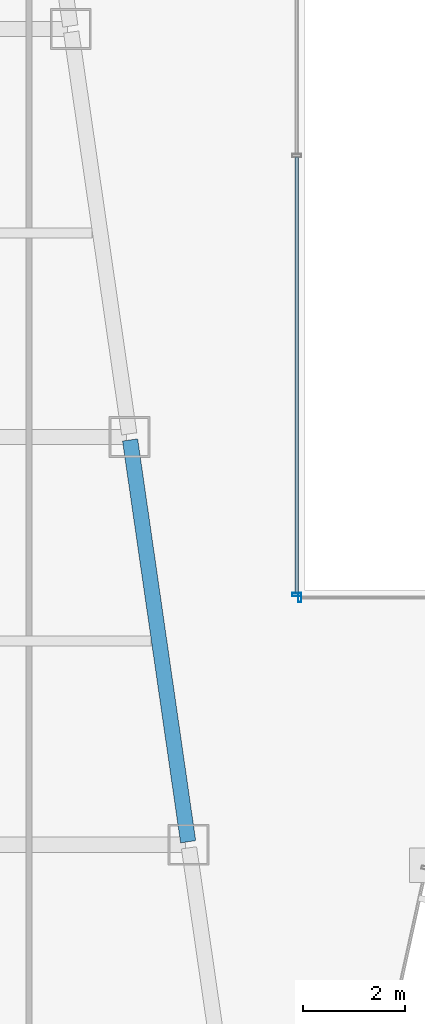
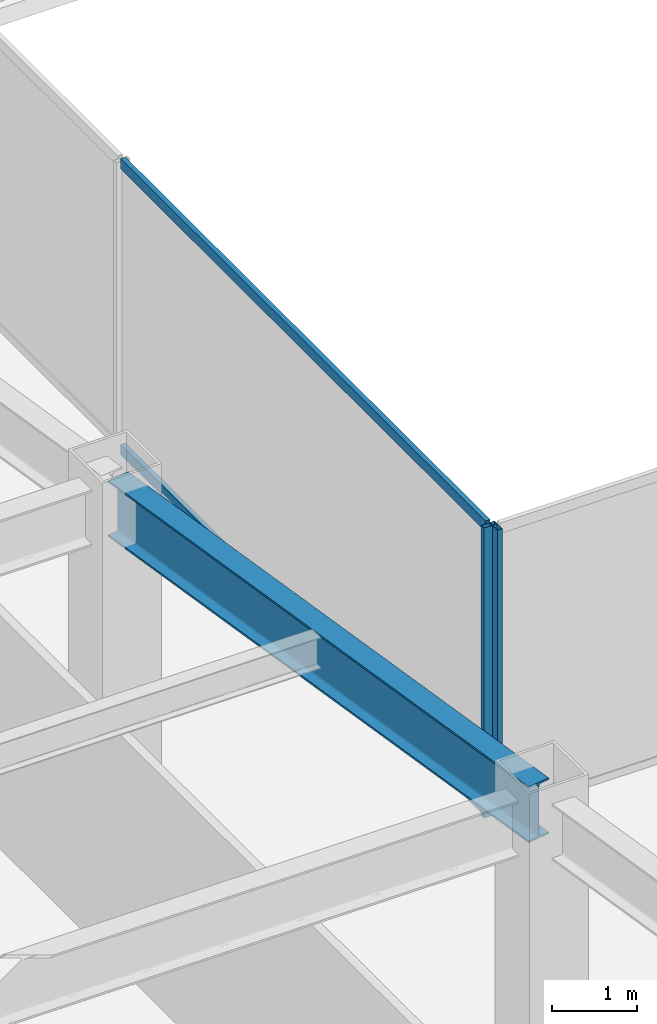
# One storey, part 12 of 47: 4 members, 1 beam, 2 elements without a shape of their own.
"""IFC4 building model written with IfcOpenShell, lengths in metres."""

from ifc_helpers import new_model, si_unit, direction, frame, origin, origin_2d, place, context, subcontext, project, spatial, hollow_rectangle, i_section, extrude, material, material_profile, profile_set, type_object, element, aggregate, save


model = new_model("IFC4")

# Units and contexts
model_context = context("Model", 3, precision=1e-05, world=origin(), true_north=direction((0.0, 1.0)))
body_context = subcontext(model_context, "Body", "Model", "MODEL_VIEW")
ifc_project = project(units=[si_unit("LENGTHUNIT", "METRE"), si_unit("AREAUNIT", "SQUARE_METRE"), si_unit("VOLUMEUNIT", "CUBIC_METRE"), si_unit("PLANEANGLEUNIT", "RADIAN"), si_unit("MASSUNIT", "GRAM", prefix="KILO")], contexts=[model_context])

# Site, building, storey
site_placement = place(None, origin())
site = spatial("IfcSite", under=ifc_project, at=site_placement, CompositionType="ELEMENT")
building_placement = place(site_placement, origin())
building = spatial("IfcBuilding", under=site, at=building_placement, Name="Saevonmaru Cultural Tower", CompositionType="ELEMENT")
storey_placement = place(building_placement, frame((0.0, 0.0, 47.199951171875)))
storey = spatial("IfcBuildingStorey", under=building, at=storey_placement, Name="L09", CompositionType="ELEMENT", Elevation=47.199951171875)

# Beam
ifc_material_1 = material(Name="Steel SM420", Category="steel")
ifc_material_profile_1 = material_profile(ifc_material_1, i_section(OverallWidth=0.300048828125, OverallDepth=0.800048828125, WebThickness=0.013916015625, FlangeThickness=0.02587890625, FilletRadius=0.028076171875, at=origin_2d()), Name="H-800x300x14x26")
ifc_profile_set_1 = profile_set([ifc_material_profile_1], Name="Steel SM420")
beam_type = type_object("IfcBeamType", Name="BM-G-H800", PredefinedType="BEAM", material=ifc_profile_set_1)
beam_placement = place(storey_placement, frame((21.91943359375, 16.059326171875, 3.75), z_axis=(-0.143022161059, 0.989719486241, 0.0), x_axis=(-0.989719486241, -0.143022161059, 0.0)))
element("IfcBeam", 1, at=beam_placement, inside=storey, type_object=beam_type, Name="L09 West Atrium Girder 3", PredefinedType="BEAM", context=body_context, shape_type="SweptSolid", body=[
    extrude(i_section(OverallWidth=0.300048828125, OverallDepth=0.800048828125, WebThickness=0.013916015625, FlangeThickness=0.02587890625, FilletRadius=0.028076171875, at=origin_2d()), origin(), (0.0, 0.0, 1.0), 7.963134765625),
])

# Curtain wall, member
ifc_material_2 = material(Name="Satin Bronze Anodised Aluminium", Category="aluminium")
curtain_wall_type = type_object("IfcCurtainWallType", Name="CW-ATR-GLZ", PredefinedType="NOTDEFINED", material=ifc_material_2)
curtain_wall_1_placement = place(storey_placement, origin())
curtain_wall_1 = element("IfcCurtainWall", 2, at=curtain_wall_1_placement, inside=storey, type_object=curtain_wall_type, Name="L09 Vertical Atrium Glazed Smoke Screen 1", PredefinedType="NOTDEFINED")
ifc_material_profile_2 = material_profile(ifc_material_2, hollow_rectangle(XDim=0.06494140625, YDim=0.179931640625, WallThickness=0.00390625, at=origin_2d()), Name="ALU-MULL-180x65x4")
ifc_profile_set_2 = profile_set([ifc_material_profile_2], Name="Satin Bronze Anodised Aluminium")
member_type_1 = type_object("IfcMemberType", Name="ML-CW-INT-180x65", PredefinedType="MULLION", material=ifc_profile_set_2)
member_1_placement = place(storey_placement, frame((24.110107421875, 20.85009765625, 0.0), z_axis=(0.0, 0.0, 1.0), x_axis=(1.0, 0.0, 0.0)))
member_1 = element("IfcMember", 3, at=member_1_placement, type_object=member_type_1, Name="CW-ATR-L09-1 mullion 1", PredefinedType="MULLION", context=body_context, shape_type="SweptSolid", body=[
    extrude(hollow_rectangle(XDim=0.06494140625, YDim=0.179931640625, WallThickness=0.00390625, at=origin_2d()), origin(), (0.0, 0.0, 1.0), 4.150146484375),
])
aggregate(curtain_wall_1, [member_1])

# Curtain wall, members
curtain_wall_2_placement = place(storey_placement, origin())
curtain_wall_2 = element("IfcCurtainWall", 4, at=curtain_wall_2_placement, inside=storey, type_object=curtain_wall_type, Name="L09 Vertical Atrium Glazed Smoke Screen 4", PredefinedType="NOTDEFINED")
member_2_placement = place(storey_placement, frame((24.050048828125, 20.909912109375, 0.0), z_axis=(0.0, 0.0, 1.0), x_axis=(0.0, -1.0, 0.0)))
member_2 = element("IfcMember", 5, at=member_2_placement, type_object=member_type_1, Name="CW-ATR-L09-4 mullion 3", PredefinedType="MULLION", context=body_context, shape_type="SweptSolid", body=[
    extrude(hollow_rectangle(XDim=0.06494140625, YDim=0.179931640625, WallThickness=0.00390625, at=origin_2d()), origin(), (0.0, 0.0, 1.0), 4.150146484375),
])
ifc_material_profile_3 = material_profile(ifc_material_2, hollow_rectangle(XDim=0.06494140625, YDim=0.14990234375, WallThickness=0.00390625, at=origin_2d()), Name="ALU-TRAN-150x65x4")
ifc_profile_set_3 = profile_set([ifc_material_profile_3], Name="Satin Bronze Anodised Aluminium")
member_type_2 = type_object("IfcMemberType", Name="TR-CW-INT-150x65", PredefinedType="USERDEFINED", material=ifc_profile_set_3)
member_3_placement = place(storey_placement, frame((24.050048828125, 29.487548828125, 0.032470703125), z_axis=(0.0, -1.0, 0.0), x_axis=(1.0, 0.0, 0.0)))
member_3 = element("IfcMember", 6, at=member_3_placement, type_object=member_type_2, Name="CW-ATR-L09-4 transom 2.1", ObjectType="TRANSOM", PredefinedType="USERDEFINED", context=body_context, shape_type="SweptSolid", body=[
    extrude(hollow_rectangle(XDim=0.06494140625, YDim=0.14990234375, WallThickness=0.00390625, at=origin_2d()), origin(), (0.0, 0.0, 1.0), 8.545166015625),
])
member_4_placement = place(storey_placement, frame((24.050048828125, 29.487548828125, 4.117431640625), z_axis=(0.0, -1.0, 0.0), x_axis=(1.0, 0.0, 0.0)))
member_4 = element("IfcMember", 7, at=member_4_placement, type_object=member_type_2, Name="CW-ATR-L09-4 transom 2.2", ObjectType="TRANSOM", PredefinedType="USERDEFINED", context=body_context, shape_type="SweptSolid", body=[
    extrude(hollow_rectangle(XDim=0.06494140625, YDim=0.14990234375, WallThickness=0.00390625, at=origin_2d()), origin(), (0.0, 0.0, 1.0), 8.545166015625),
])
aggregate(curtain_wall_2, [member_2, member_3, member_4])

save(model, "model.ifc")
